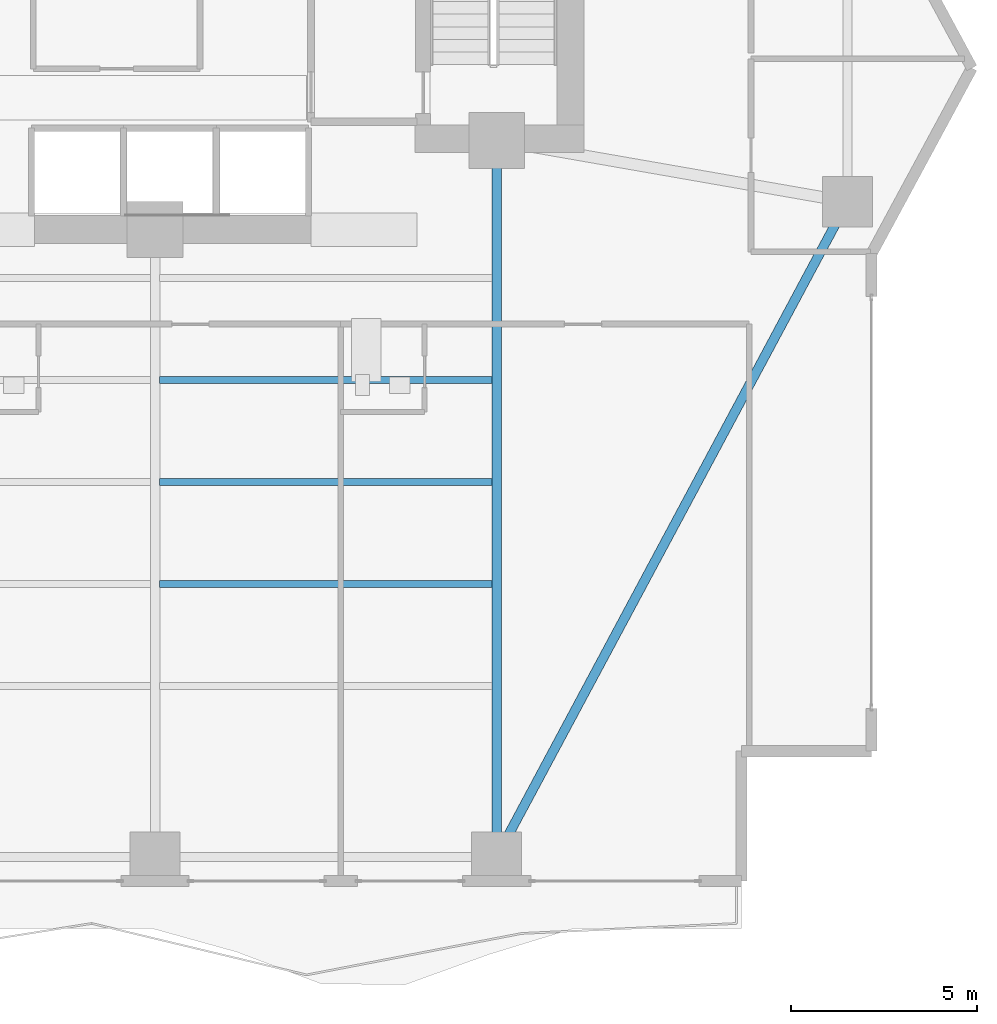
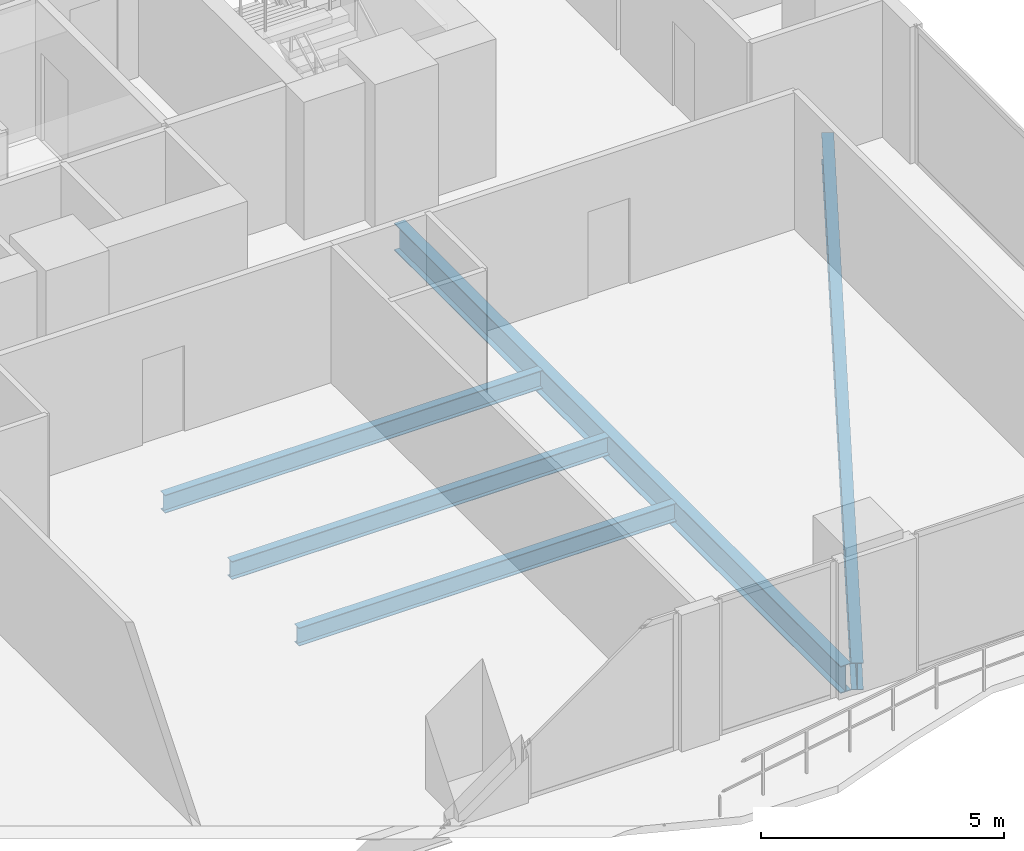
# One storey, part 10 of 28: 5 beams.
"""IFC4 building model written with IfcOpenShell, lengths in metres."""

from ifc_helpers import new_model, si_unit, direction, frame, origin, origin_2d, place, context, subcontext, project, spatial, i_section, extrude, material, material_profile, profile_set, type_object, element, save


model = new_model("IFC4")

# Units and contexts
model_context = context("Model", 3, precision=1e-05, world=origin(), true_north=direction((0.0, 1.0)))
body_context = subcontext(model_context, "Body", "Model", "MODEL_VIEW")
ifc_project = project(units=[si_unit("LENGTHUNIT", "METRE"), si_unit("AREAUNIT", "SQUARE_METRE"), si_unit("VOLUMEUNIT", "CUBIC_METRE"), si_unit("PLANEANGLEUNIT", "RADIAN"), si_unit("MASSUNIT", "GRAM", prefix="KILO")], contexts=[model_context])

# Site, building, storey
site_placement = place(None, origin())
site = spatial("IfcSite", under=ifc_project, at=site_placement, CompositionType="ELEMENT")
building_placement = place(site_placement, origin())
building = spatial("IfcBuilding", under=site, at=building_placement, Name="Zuhayl Quay Hotel", CompositionType="ELEMENT")
storey_placement = place(building_placement, frame((0.0, 0.0, 139.449951171875)))
storey = spatial("IfcBuildingStorey", under=building, at=storey_placement, Name="L35", CompositionType="ELEMENT", Elevation=139.449951171875)

# Beams
ifc_material = material(Name="Steel ASTM A992 Grade 50", Category="steel")
ifc_material_profile_1 = material_profile(ifc_material, i_section(OverallWidth=0.25390625, OverallDepth=0.68310546875, WebThickness=0.012451171875, FlangeThickness=0.018798828125, at=origin_2d()), Name="W27X94")
ifc_profile_set_1 = profile_set([ifc_material_profile_1], Name="Steel ASTM A992 Grade 50")
beam_type_1 = type_object("IfcBeamType", Name="BM_B2_W27X94", PredefinedType="BEAM", material=ifc_profile_set_1)
beam_1_placement = place(storey_placement, frame((14.035888671875, -14.30908203125, -0.5615234375), z_axis=(0.472017301959, 0.88158928456, 0.0), x_axis=(-0.88158928456, 0.472017301959, 0.0)))
element("IfcBeam", 1, at=beam_1_placement, inside=storey, type_object=beam_type_1, Name="L35 Floor Beam RG_L35_04", PredefinedType="BEAM", context=body_context, shape_type="SweptSolid", body=[
    extrude(i_section(OverallWidth=0.25390625, OverallDepth=0.68310546875, WebThickness=0.012451171875, FlangeThickness=0.018798828125, at=origin_2d()), origin(), (0.0, 0.0, 1.0), 19.0205078125),
])
beam_2_placement = place(storey_placement, frame((13.800048828125, -14.25, -0.5615234375), z_axis=(0.0, 1.0, 0.0), x_axis=(-1.0, 0.0, 0.0)))
element("IfcBeam", 2, at=beam_2_placement, inside=storey, type_object=beam_type_1, Name="L35 Floor Beam FG_S_L35_4", PredefinedType="BEAM", context=body_context, shape_type="SweptSolid", body=[
    extrude(i_section(OverallWidth=0.25390625, OverallDepth=0.68310546875, WebThickness=0.012451171875, FlangeThickness=0.018798828125, at=origin_2d()), origin(), (0.0, 0.0, 1.0), 18.35009765625),
])
ifc_material_profile_2 = material_profile(ifc_material, i_section(OverallWidth=0.18994140625, OverallDepth=0.45703125, WebThickness=0.009033203125, FlangeThickness=0.014404296875, at=origin_2d()), Name="W18X50")
ifc_profile_set_2 = profile_set([ifc_material_profile_2], Name="Steel ASTM A992 Grade 50")
beam_type_2 = type_object("IfcBeamType", Name="BM_J2_W18X50", PredefinedType="JOIST", material=ifc_profile_set_2)
for number, where, z_axis, x_axis, name in (
    (3, (4.718994140625, -7.39990234375, -0.448486328125), (1.0, 0.0, 0.0), (0.0, 1.0, 0.0), "L35 Floor Beam FJ_L35_6_3"),
    (4, (4.718994140625, -4.64990234375, -0.448486328125), (1.0, 0.0, 0.0), (0.0, 1.0, 0.0), "L35 Floor Beam FJ_L35_7_3"),
    (5, (4.718994140625, -1.89990234375, -0.448486328125), (1.0, 0.0, 0.0), (0.0, 1.0, 0.0), "L35 Floor Beam FJ_L35_8_3"),
):
    element("IfcBeam", number, at=place(storey_placement, frame(where, z_axis=z_axis, x_axis=x_axis)), inside=storey, type_object=beam_type_2, Name=name, PredefinedType="JOIST", context=body_context, shape_type="SweptSolid", body=[
        extrude(i_section(OverallWidth=0.18994140625, OverallDepth=0.45703125, WebThickness=0.009033203125, FlangeThickness=0.014404296875, at=origin_2d()), origin(), (0.0, 0.0, 1.0), 8.9619140625),
    ])

save(model, "model.ifc")
